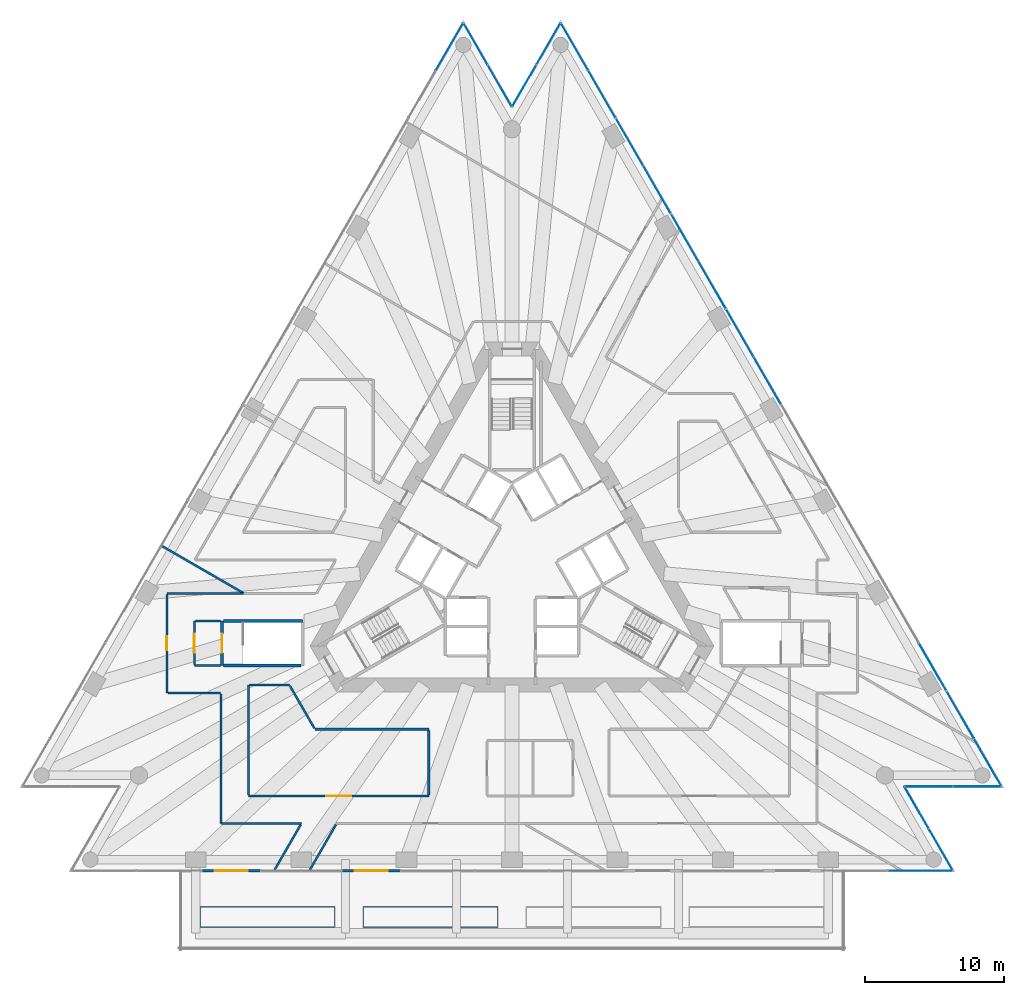
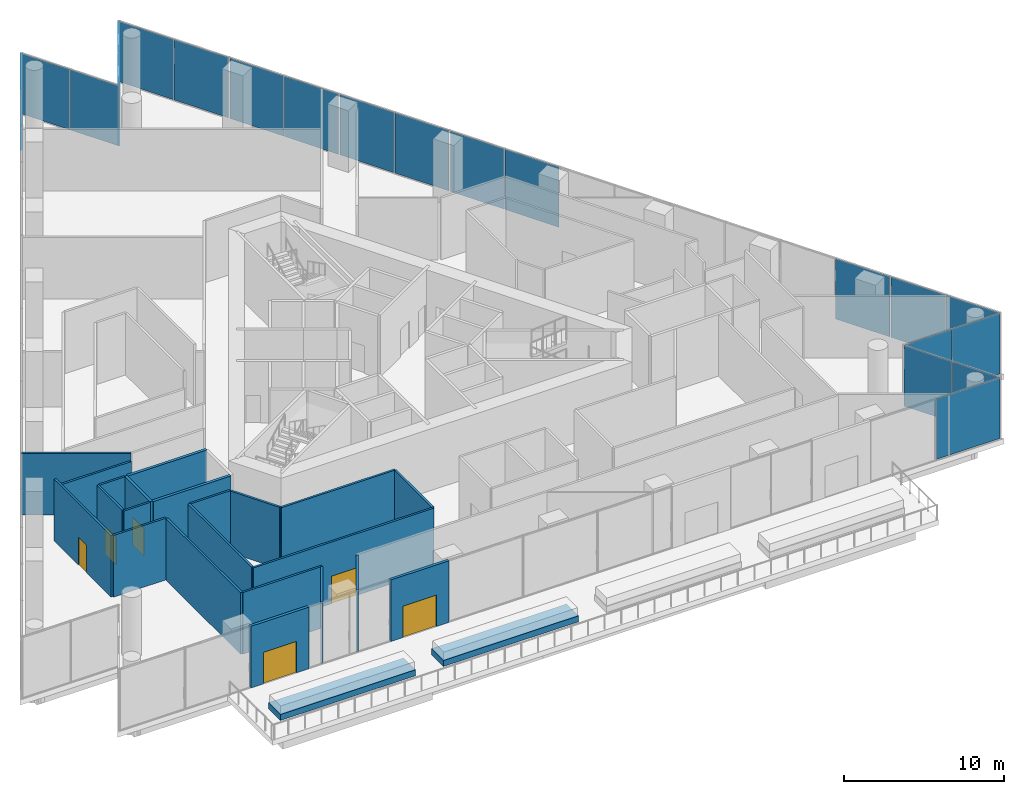
# One storey, part 21 of 28: 24 walls, 21 plates, 6 doors, 6 openings, 12 elements without a shape of their own.
"""IFC4 building model written with IfcOpenShell, lengths in metres."""

from ifc_helpers import new_model, si_unit, direction, frame, frame_2d, origin, origin_2d, place, context, subcontext, project, spatial, rectangle, extrude, material, layer, layer_set, layer_usage, type_object, element, fill, aggregate, save


model = new_model("IFC4")

# Units and contexts
model_context = context("Model", 3, precision=1e-05, world=origin(), true_north=direction((0.0, 1.0)))
body_context = subcontext(model_context, "Body", "Model", "MODEL_VIEW")
ifc_project = project(units=[si_unit("LENGTHUNIT", "METRE"), si_unit("AREAUNIT", "SQUARE_METRE"), si_unit("VOLUMEUNIT", "CUBIC_METRE"), si_unit("PLANEANGLEUNIT", "RADIAN"), si_unit("MASSUNIT", "GRAM", prefix="KILO")], contexts=[model_context])

# Site, building, storey
site_placement = place(None, origin())
site = spatial("IfcSite", under=ifc_project, at=site_placement, CompositionType="ELEMENT")
building_placement = place(site_placement, origin())
building = spatial("IfcBuilding", under=site, at=building_placement, Name="Triada Interchange Tower", CompositionType="ELEMENT")
storey_placement = place(building_placement, frame((0.0, 0.0, 30.300048828125)))
storey = spatial("IfcBuildingStorey", under=building, at=storey_placement, Name="L05", CompositionType="ELEMENT", Elevation=30.300048828125)

# Curtain wall, plate
ifc_material_1 = material(Name="Aluminium framed glazing", Category="aluminium")
ifc_layer_1 = layer(ifc_material_1, 0.199951171875)
ifc_layer_set_1 = layer_set([ifc_layer_1], Name="Curtain wall Winter garden glazing")
curtain_wall_type = type_object("IfcCurtainWallType", Name="Curtain wall Winter garden glazing", PredefinedType="NOTDEFINED", material=ifc_layer_set_1)
curtain_wall_1_placement = place(storey_placement, origin())
curtain_wall_1 = element("IfcCurtainWall", 1, at=curtain_wall_1_placement, inside=storey, type_object=curtain_wall_type, Name="Winter garden glazing CW009 L05", PredefinedType="NOTDEFINED")
ifc_material_2 = material(Name="Insulated glazing unit", Category="glass")
ifc_layer_2 = layer(ifc_material_2, 0.02392578125)
ifc_layer_set_2 = layer_set([ifc_layer_2], Name="Glazing panel Winter garden glazing 24")
plate_type = type_object("IfcPlateType", Name="Glazing panel Winter garden glazing 24", PredefinedType="CURTAIN_PANEL", material=ifc_layer_set_2)
plate_1_placement = place(storey_placement, frame((29.424072265625, -22.39990234375, 0.0498046875), z_axis=(0.0, 0.0, 1.0), x_axis=(1.0, 0.0, 0.0)))
plate_1 = element("IfcPlate", 2, at=plate_1_placement, type_object=plate_type, Name="CW009 panel 1.1", PredefinedType="CURTAIN_PANEL", context=body_context, shape_type="SweptSolid", body=[
    extrude(rectangle(XDim=4.617919921875, YDim=0.02392578125, at=origin_2d()), origin(), (0.0, 0.0, 1.0), 4.60009765625),
])
aggregate(curtain_wall_1, [plate_1])

# Curtain wall, plates
curtain_wall_2_placement = place(storey_placement, origin())
curtain_wall_2 = element("IfcCurtainWall", 3, at=curtain_wall_2_placement, inside=storey, type_object=curtain_wall_type, Name="Winter garden glazing CW010 L05", PredefinedType="NOTDEFINED")
plate_2_placement = place(storey_placement, frame((30.89990234375, -20.870361328125, 0.0498046875), z_axis=(0.0, 0.0, 1.0), x_axis=(-0.499956922962, 0.866050272896, 0.0)))
plate_2 = element("IfcPlate", 4, at=plate_2_placement, type_object=plate_type, Name="CW010 panel 1.1", PredefinedType="CURTAIN_PANEL", context=body_context, shape_type="SweptSolid", body=[
    extrude(rectangle(XDim=3.432373046875, YDim=0.02392578125, at=origin_2d()), origin(), (0.0, 0.0, 1.0), 4.60009765625),
])
plate_3_placement = place(storey_placement, frame((29.158935546875, -17.8544921875, 0.0498046875), z_axis=(0.0, 0.0, 1.0), x_axis=(-0.499956922962, 0.866050272896, 0.0)))
plate_3 = element("IfcPlate", 5, at=plate_3_placement, type_object=plate_type, Name="CW010 panel 2.1", PredefinedType="CURTAIN_PANEL", context=body_context, shape_type="SweptSolid", body=[
    extrude(rectangle(XDim=3.432373046875, YDim=0.02392578125, at=origin_2d()), origin(), (0.0, 0.0, 1.0), 4.60009765625),
])
aggregate(curtain_wall_2, [plate_2, plate_3])

curtain_wall_3_placement = place(storey_placement, origin())
curtain_wall_3 = element("IfcCurtainWall", 6, at=curtain_wall_3_placement, inside=storey, type_object=curtain_wall_type, Name="Winter garden glazing CW011 L05", PredefinedType="NOTDEFINED")
plate_4_placement = place(storey_placement, frame((30.042236328125, -16.324951171875, 0.0498046875), z_axis=(0.0, 0.0, 1.0), x_axis=(1.0, 0.0, 0.0)))
plate_4 = element("IfcPlate", 7, at=plate_4_placement, type_object=plate_type, Name="CW011 panel 1.1", PredefinedType="CURTAIN_PANEL", context=body_context, shape_type="SweptSolid", body=[
    extrude(rectangle(XDim=3.4326171875, YDim=0.02392578125, at=origin_2d()), origin(), (0.0, 0.0, 1.0), 4.60009765625),
])
plate_5_placement = place(storey_placement, frame((33.524658203125, -16.324951171875, 0.0498046875), z_axis=(0.0, 0.0, 1.0), x_axis=(1.0, 0.0, 0.0)))
plate_5 = element("IfcPlate", 8, at=plate_5_placement, type_object=plate_type, Name="CW011 panel 2.1", PredefinedType="CURTAIN_PANEL", context=body_context, shape_type="SweptSolid", body=[
    extrude(rectangle(XDim=3.4326171875, YDim=0.02392578125, at=origin_2d()), origin(), (0.0, 0.0, 1.0), 4.60009765625),
])
aggregate(curtain_wall_3, [plate_4, plate_5])

curtain_wall_4_placement = place(storey_placement, origin())
curtain_wall_4 = element("IfcCurtainWall", 9, at=curtain_wall_4_placement, inside=storey, type_object=curtain_wall_type, Name="Winter garden glazing CW012 L05", PredefinedType="NOTDEFINED")
plate_6_placement = place(storey_placement, frame((34.292236328125, -14.594970703125, 0.0498046875), z_axis=(0.0, 0.0, 1.0), x_axis=(-0.499958648825, 0.86604927658, 0.0)))
plate_6 = element("IfcPlate", 10, at=plate_6_placement, type_object=plate_type, Name="CW012 panel 1.1", PredefinedType="CURTAIN_PANEL", context=body_context, shape_type="SweptSolid", body=[
    extrude(rectangle(XDim=3.895263671875, YDim=0.02392578125, at=origin_2d()), origin(), (0.0, 0.0, 1.0), 4.60009765625),
])
plate_7_placement = place(storey_placement, frame((32.31982421875, -11.177978515625, 0.0498046875), z_axis=(0.0, 0.0, 1.0), x_axis=(-0.499958648825, 0.86604927658, 0.0)))
plate_7 = element("IfcPlate", 11, at=plate_7_placement, type_object=plate_type, Name="CW012 panel 2.1", PredefinedType="CURTAIN_PANEL", context=body_context, shape_type="SweptSolid", body=[
    extrude(rectangle(XDim=3.895263671875, YDim=0.02392578125, at=origin_2d()), origin(), (0.0, 0.0, 1.0), 4.60009765625),
])
aggregate(curtain_wall_4, [plate_6, plate_7])

# Curtain wall, plate
curtain_wall_5_placement = place(storey_placement, origin())
curtain_wall_5 = element("IfcCurtainWall", 12, at=curtain_wall_5_placement, inside=storey, type_object=curtain_wall_type, Name="Winter garden glazing CW013 L05", PredefinedType="NOTDEFINED")
plate_8_placement = place(storey_placement, frame((30.31689453125, -7.710205078125, 0.0498046875), z_axis=(0.0, 0.0, 1.0), x_axis=(-0.499947913852, 0.866055473648, 0.0)))
plate_8 = element("IfcPlate", 13, at=plate_8_placement, type_object=plate_type, Name="CW013 panel 1.1", PredefinedType="CURTAIN_PANEL", context=body_context, shape_type="SweptSolid", body=[
    extrude(rectangle(XDim=3.892333984375, YDim=0.02392578125, at=origin_2d()), origin(), (0.0, 0.0, 1.0), 4.60009765625),
])
aggregate(curtain_wall_5, [plate_8])

# Curtain wall, plates
curtain_wall_6_placement = place(storey_placement, origin())
curtain_wall_6 = element("IfcCurtainWall", 14, at=curtain_wall_6_placement, inside=storey, type_object=curtain_wall_type, Name="Winter garden glazing CW016 L05", PredefinedType="NOTDEFINED")
plate_9_placement = place(storey_placement, frame((18.39794921875, 12.93310546875, 0.0498046875), z_axis=(0.0, 0.0, 1.0), x_axis=(-0.499893351442, 0.866086968603, 0.0)))
plate_9 = element("IfcPlate", 15, at=plate_9_placement, type_object=plate_type, Name="CW016 panel 1.1", PredefinedType="CURTAIN_PANEL", context=body_context, shape_type="SweptSolid", body=[
    extrude(rectangle(XDim=3.892822265625, YDim=0.02392578125, at=origin_2d()), origin(), (0.0, 0.0, 1.0), 4.60009765625),
])
plate_10_placement = place(storey_placement, frame((16.427001953125, 16.347900390625, 0.0498046875), z_axis=(0.0, 0.0, 1.0), x_axis=(-0.499893351442, 0.866086968603, 0.0)))
plate_10 = element("IfcPlate", 16, at=plate_10_placement, type_object=plate_type, Name="CW016 panel 2.1", PredefinedType="CURTAIN_PANEL", context=body_context, shape_type="SweptSolid", body=[
    extrude(rectangle(XDim=3.892822265625, YDim=0.02392578125, at=origin_2d()), origin(), (0.0, 0.0, 1.0), 4.60009765625),
])
aggregate(curtain_wall_6, [plate_9, plate_10])

curtain_wall_7_placement = place(storey_placement, origin())
curtain_wall_7 = element("IfcCurtainWall", 17, at=curtain_wall_7_placement, inside=storey, type_object=curtain_wall_type, Name="Winter garden glazing CW017 L05", PredefinedType="NOTDEFINED")
plate_11_placement = place(storey_placement, frame((14.425048828125, 19.81494140625, 0.0498046875), z_axis=(0.0, 0.0, 1.0), x_axis=(-0.499947913852, 0.866055473648, 0.0)))
plate_11 = element("IfcPlate", 18, at=plate_11_placement, type_object=plate_type, Name="CW017 panel 1.1", PredefinedType="CURTAIN_PANEL", context=body_context, shape_type="SweptSolid", body=[
    extrude(rectangle(XDim=3.892333984375, YDim=0.02392578125, at=origin_2d()), origin(), (0.0, 0.0, 1.0), 4.60009765625),
])
plate_12_placement = place(storey_placement, frame((12.4541015625, 23.229248046875, 0.0498046875), z_axis=(0.0, 0.0, 1.0), x_axis=(-0.499947913852, 0.866055473648, 0.0)))
plate_12 = element("IfcPlate", 19, at=plate_12_placement, type_object=plate_type, Name="CW017 panel 2.1", PredefinedType="CURTAIN_PANEL", context=body_context, shape_type="SweptSolid", body=[
    extrude(rectangle(XDim=3.892333984375, YDim=0.02392578125, at=origin_2d()), origin(), (0.0, 0.0, 1.0), 4.60009765625),
])
aggregate(curtain_wall_7, [plate_11, plate_12])

curtain_wall_8_placement = place(storey_placement, origin())
curtain_wall_8 = element("IfcCurtainWall", 20, at=curtain_wall_8_placement, inside=storey, type_object=curtain_wall_type, Name="Winter garden glazing CW018 L05", PredefinedType="NOTDEFINED")
plate_13_placement = place(storey_placement, frame((10.451904296875, 26.69580078125, 0.0498046875), z_axis=(0.0, 0.0, 1.0), x_axis=(-0.499947913852, 0.866055473648, 0.0)))
plate_13 = element("IfcPlate", 21, at=plate_13_placement, type_object=plate_type, Name="CW018 panel 1.1", PredefinedType="CURTAIN_PANEL", context=body_context, shape_type="SweptSolid", body=[
    extrude(rectangle(XDim=3.892333984375, YDim=0.02392578125, at=origin_2d()), origin(), (0.0, 0.0, 1.0), 4.60009765625),
])
plate_14_placement = place(storey_placement, frame((8.48095703125, 30.110107421875, 0.0498046875), z_axis=(0.0, 0.0, 1.0), x_axis=(-0.499947913852, 0.866055473648, 0.0)))
plate_14 = element("IfcPlate", 22, at=plate_14_placement, type_object=plate_type, Name="CW018 panel 2.1", PredefinedType="CURTAIN_PANEL", context=body_context, shape_type="SweptSolid", body=[
    extrude(rectangle(XDim=3.892333984375, YDim=0.02392578125, at=origin_2d()), origin(), (0.0, 0.0, 1.0), 4.60009765625),
])
aggregate(curtain_wall_8, [plate_13, plate_14])

curtain_wall_9_placement = place(storey_placement, origin())
curtain_wall_9 = element("IfcCurtainWall", 23, at=curtain_wall_9_placement, inside=storey, type_object=curtain_wall_type, Name="Winter garden glazing CW019 L05", PredefinedType="NOTDEFINED")
plate_15_placement = place(storey_placement, frame((6.478271484375, 33.578125, 0.0498046875), z_axis=(0.0, 0.0, 1.0), x_axis=(-0.499958648825, 0.86604927658, 0.0)))
plate_15 = element("IfcPlate", 24, at=plate_15_placement, type_object=plate_type, Name="CW019 panel 1.1", PredefinedType="CURTAIN_PANEL", context=body_context, shape_type="SweptSolid", body=[
    extrude(rectangle(XDim=3.895263671875, YDim=0.02392578125, at=origin_2d()), origin(), (0.0, 0.0, 1.0), 4.60009765625),
])
plate_16_placement = place(storey_placement, frame((4.505859375, 36.994873046875, 0.0498046875), z_axis=(0.0, 0.0, 1.0), x_axis=(-0.499958648825, 0.86604927658, 0.0)))
plate_16 = element("IfcPlate", 25, at=plate_16_placement, type_object=plate_type, Name="CW019 panel 2.1", PredefinedType="CURTAIN_PANEL", context=body_context, shape_type="SweptSolid", body=[
    extrude(rectangle(XDim=3.895263671875, YDim=0.02392578125, at=origin_2d()), origin(), (0.0, 0.0, 1.0), 4.60009765625),
])
aggregate(curtain_wall_9, [plate_15, plate_16])

curtain_wall_10_placement = place(storey_placement, origin())
curtain_wall_10 = element("IfcCurtainWall", 26, at=curtain_wall_10_placement, inside=storey, type_object=curtain_wall_type, Name="Winter garden glazing CW020 L05", PredefinedType="NOTDEFINED")
plate_17_placement = place(storey_placement, frame((2.6240234375, 37.1953125, 0.0498046875), z_axis=(0.0, 0.0, 1.0), x_axis=(-0.499956922962, -0.866050272896, 0.0)))
plate_17 = element("IfcPlate", 27, at=plate_17_placement, type_object=plate_type, Name="CW020 panel 1.1", PredefinedType="CURTAIN_PANEL", context=body_context, shape_type="SweptSolid", body=[
    extrude(rectangle(XDim=3.432373046875, YDim=0.02392578125, at=origin_2d()), origin(), (0.0, 0.0, 1.0), 4.60009765625),
])
plate_18_placement = place(storey_placement, frame((0.883056640625, 34.1796875, 0.0498046875), z_axis=(0.0, 0.0, 1.0), x_axis=(-0.499956922962, -0.866050272896, 0.0)))
plate_18 = element("IfcPlate", 28, at=plate_18_placement, type_object=plate_type, Name="CW020 panel 2.1", PredefinedType="CURTAIN_PANEL", context=body_context, shape_type="SweptSolid", body=[
    extrude(rectangle(XDim=3.432373046875, YDim=0.02392578125, at=origin_2d()), origin(), (0.0, 0.0, 1.0), 4.60009765625),
])
aggregate(curtain_wall_10, [plate_17, plate_18])

curtain_wall_11_placement = place(storey_placement, origin())
curtain_wall_11 = element("IfcCurtainWall", 29, at=curtain_wall_11_placement, inside=storey, type_object=curtain_wall_type, Name="Winter garden glazing CW021 L05", PredefinedType="NOTDEFINED")
plate_19_placement = place(storey_placement, frame((-0.883056640625, 34.1796875, 0.0498046875), z_axis=(0.0, 0.0, 1.0), x_axis=(-0.499956922962, 0.866050272896, 0.0)))
plate_19 = element("IfcPlate", 30, at=plate_19_placement, type_object=plate_type, Name="CW021 panel 1.1", PredefinedType="CURTAIN_PANEL", context=body_context, shape_type="SweptSolid", body=[
    extrude(rectangle(XDim=3.432373046875, YDim=0.02392578125, at=origin_2d()), origin(), (0.0, 0.0, 1.0), 4.60009765625),
])
plate_20_placement = place(storey_placement, frame((-2.6240234375, 37.1953125, 0.0498046875), z_axis=(0.0, 0.0, 1.0), x_axis=(-0.499956922962, 0.866050272896, 0.0)))
plate_20 = element("IfcPlate", 31, at=plate_20_placement, type_object=plate_type, Name="CW021 panel 2.1", PredefinedType="CURTAIN_PANEL", context=body_context, shape_type="SweptSolid", body=[
    extrude(rectangle(XDim=3.432373046875, YDim=0.02392578125, at=origin_2d()), origin(), (0.0, 0.0, 1.0), 4.60009765625),
])
aggregate(curtain_wall_11, [plate_19, plate_20])

# Curtain wall, plate
curtain_wall_12_placement = place(storey_placement, origin())
curtain_wall_12 = element("IfcCurtainWall", 32, at=curtain_wall_12_placement, inside=storey, type_object=curtain_wall_type, Name="Winter garden glazing CW022 L05", PredefinedType="NOTDEFINED")
plate_21_placement = place(storey_placement, frame((-4.505859375, 36.994873046875, 0.0498046875), z_axis=(0.0, 0.0, 1.0), x_axis=(-0.499958648825, -0.86604927658, 0.0)))
plate_21 = element("IfcPlate", 33, at=plate_21_placement, type_object=plate_type, Name="CW022 panel 1.1", PredefinedType="CURTAIN_PANEL", context=body_context, shape_type="SweptSolid", body=[
    extrude(rectangle(XDim=3.895263671875, YDim=0.02392578125, at=origin_2d()), origin(), (0.0, 0.0, 1.0), 4.60009765625),
])
aggregate(curtain_wall_12, [plate_21])

# Wall, opening, door
ifc_material_3 = material(Name="Concrete C30/37", Category="concrete")
ifc_layer_3 = layer(ifc_material_3, 0.199951171875)
ifc_layer_set_3 = layer_set([ifc_layer_3], Name="CORE WALL 200 REI 240")
wall_type_1 = type_object("IfcWallType", Name="CORE WALL 200 REI 240", PredefinedType="SOLIDWALL", material=ifc_layer_set_3)
wall_1_placement = place(storey_placement, frame((-20.89990234375, -7.60009765625, 0.0), z_axis=(0.0, 0.0, 1.0), x_axis=(0.0, 1.0, 0.0)))
wall_1 = element("IfcWall", 34, at=wall_1_placement, inside=storey, type_object=wall_type_1, Name="Wall L05 121", PredefinedType="SOLIDWALL", context=body_context, shape_type="SweptSolid", body=[
    extrude(rectangle(XDim=3.2001953125, YDim=0.199951171875, at=frame_2d((1.60009765625, 0.0))), origin(), (0.0, 0.0, 1.0), 4.699951171875),
])
opening_1_placement = place(wall_1_placement, frame((0.89990234375, 0.0, 0.0)))
opening_1 = element("IfcOpeningElement", 35, at=opening_1_placement, cuts=wall_1, Name="Opening D05-11", PredefinedType="OPENING", context=body_context, shape_type="SweptSolid", body=[
    extrude(rectangle(XDim=1.39990234375, YDim=2.10009765625, at=frame_2d((0.699951171875, 1.050048828125))), frame((0.0, 0.10986328125, 0.0), z_axis=(0.0, -1.0, 0.0), x_axis=(1.0, 0.0, 0.0)), (0.0, 0.0, 1.0), 0.219970703125),
])
ifc_material_4 = material(Name="Steel S235 door leaf", Category="steel")
door_type_1 = type_object("IfcDoorType", Name="STAIR DOOR 1400 EI2 90-C5S200", OperationType="DOUBLE_DOOR_SINGLE_SWING", PredefinedType="DOOR", material=ifc_material_4)
door_1_placement = place(opening_1_placement, origin())
door_1 = element("IfcDoor", 36, at=door_1_placement, inside=storey, type_object=door_type_1, Name="Door D05-11 L05", OperationType="DOUBLE_DOOR_SINGLE_SWING", OverallHeight=2.10009765625, OverallWidth=1.39990234375, PredefinedType="DOOR", context=body_context, shape_type="SweptSolid", body=[
    extrude(rectangle(XDim=1.39990234375, YDim=2.10009765625, at=frame_2d((0.699951171875, 1.050048828125))), frame((0.0, 0.02490234375, 0.0), z_axis=(0.0, -1.0, 0.0), x_axis=(1.0, 0.0, 0.0)), (0.0, 0.0, 1.0), 0.050048828125),
])
fill(opening_1, door_1)

# Walls
wall_2_placement = place(storey_placement, frame((-20.800048828125, -4.39990234375, 0.0), z_axis=(0.0, 0.0, 1.0), x_axis=(1.0, 0.0, 0.0)))
element("IfcWall", 37, at=wall_2_placement, inside=storey, type_object=wall_type_1, Name="Wall L05 122", PredefinedType="SOLIDWALL", context=body_context, shape_type="SweptSolid", body=[
    extrude(rectangle(XDim=5.699951171875, YDim=0.199951171875, at=frame_2d((2.85009765625, 0.0))), origin(), (0.0, 0.0, 1.0), 4.699951171875),
])
wall_3_placement = place(storey_placement, frame((-20.800048828125, -7.60009765625, 0.0), z_axis=(0.0, 0.0, 1.0), x_axis=(1.0, 0.0, 0.0)))
element("IfcWall", 38, at=wall_3_placement, inside=storey, type_object=wall_type_1, Name="Wall L05 125", PredefinedType="SOLIDWALL", context=body_context, shape_type="SweptSolid", body=[
    extrude(rectangle(XDim=5.60009765625, YDim=0.199951171875, at=frame_2d((2.800048828125, 0.0))), origin(), (0.0, 0.0, 1.0), 4.699951171875),
])

# Wall, opening, door
ifc_material_5 = material(Name="Cement board")
ifc_layer_4 = layer(ifc_material_5, 0.02001953125, Name="Cement board cladding")
ifc_material_6 = material(Name="Sheathing board")
ifc_layer_5 = layer(ifc_material_6, 0.014892578125, Name="Sheathing board")
ifc_material_7 = material(Name="Mineral wool")
ifc_layer_6 = layer(ifc_material_7, 0.14990234375, Name="Mineral wool between steel studs")
ifc_material_8 = material(Name="Gypsum board")
ifc_layer_7 = layer(ifc_material_8, 0.014892578125, Name="Plasterboard lining")
ifc_layer_set_4 = layer_set([ifc_layer_4, ifc_layer_5, ifc_layer_6, ifc_layer_7], Name="External wall 200")
ifc_layer_usage = layer_usage(ifc_layer_set_4, "AXIS2", "POSITIVE", -0.10009765625)
wall_type_2 = type_object("IfcWallType", Name="External wall 200", PredefinedType="ELEMENTEDWALL", material=ifc_layer_set_4)
wall_4_placement = place(storey_placement, frame((-22.3369140625, -22.39990234375, 0.0), z_axis=(0.0, 0.0, 1.0), x_axis=(1.0, 0.0, 0.0)))
wall_4 = element("IfcWall", 39, at=wall_4_placement, inside=storey, type_object=wall_type_2, material=ifc_layer_usage, Name="External wall L05 00.1", PredefinedType="ELEMENTEDWALL", context=body_context, shape_type="SweptSolid", body=[
    extrude(rectangle(XDim=4.199951171875, YDim=0.199951171875, at=frame_2d((2.10009765625, 0.0))), origin(), (0.0, 0.0, 1.0), 4.699951171875),
])
opening_2_placement = place(wall_4_placement, frame((0.89990234375, 0.0, 0.0)))
opening_2 = element("IfcOpeningElement", 40, at=opening_2_placement, cuts=wall_4, Name="Opening DX55", PredefinedType="OPENING", context=body_context, shape_type="SweptSolid", body=[
    extrude(rectangle(XDim=2.39990234375, YDim=2.39990234375, at=frame_2d((1.199951171875, 1.199951171875))), frame((0.0, 0.10986328125, 0.0), z_axis=(0.0, -1.0, 0.0), x_axis=(1.0, 0.0, 0.0)), (0.0, 0.0, 1.0), 0.219970703125),
])
ifc_material_9 = material(Name="Aluminium and glass", Category="aluminium")
door_type_2 = type_object("IfcDoorType", Name="Terrace door double", OperationType="DOUBLE_DOOR_SINGLE_SWING", PredefinedType="DOOR", material=ifc_material_9)
door_2_placement = place(opening_2_placement, frame((2.39990234375, 0.0, 0.0), z_axis=(0.0, 0.0, 1.0), x_axis=(-1.0, 0.0, 0.0)))
door_2 = element("IfcDoor", 41, at=door_2_placement, inside=storey, type_object=door_type_2, Name="Door DX55 L05", OperationType="DOUBLE_DOOR_SINGLE_SWING", OverallHeight=2.39990234375, OverallWidth=2.39990234375, PredefinedType="DOOR", context=body_context, shape_type="SweptSolid", body=[
    extrude(rectangle(XDim=2.39990234375, YDim=2.39990234375, at=frame_2d((1.199951171875, 1.199951171875))), frame((0.0, 0.02490234375, 0.0), z_axis=(0.0, -1.0, 0.0), x_axis=(1.0, 0.0, 0.0)), (0.0, 0.0, 1.0), 0.050048828125),
])
fill(opening_2, door_2)

wall_5_placement = place(storey_placement, frame((-12.24609375, -22.39990234375, 0.0), z_axis=(0.0, 0.0, 1.0), x_axis=(1.0, 0.0, 0.0)))
wall_5 = element("IfcWall", 42, at=wall_5_placement, inside=storey, type_object=wall_type_2, material=ifc_layer_usage, Name="External wall L05 00.3", PredefinedType="ELEMENTEDWALL", context=body_context, shape_type="SweptSolid", body=[
    extrude(rectangle(XDim=4.2001953125, YDim=0.199951171875, at=frame_2d((2.10009765625, 0.0))), origin(), (0.0, 0.0, 1.0), 4.699951171875),
])
opening_3_placement = place(wall_5_placement, frame((0.89990234375, 0.0, 0.0)))
opening_3 = element("IfcOpeningElement", 43, at=opening_3_placement, cuts=wall_5, Name="Opening DX56", PredefinedType="OPENING", context=body_context, shape_type="SweptSolid", body=[
    extrude(rectangle(XDim=2.39990234375, YDim=2.39990234375, at=frame_2d((1.199951171875, 1.199951171875))), frame((0.0, 0.10986328125, 0.0), z_axis=(0.0, -1.0, 0.0), x_axis=(1.0, 0.0, 0.0)), (0.0, 0.0, 1.0), 0.219970703125),
])
door_3_placement = place(opening_3_placement, frame((2.39990234375, 0.0, 0.0), z_axis=(0.0, 0.0, 1.0), x_axis=(-1.0, 0.0, 0.0)))
door_3 = element("IfcDoor", 44, at=door_3_placement, inside=storey, type_object=door_type_2, Name="Door DX56 L05", OperationType="DOUBLE_DOOR_SINGLE_SWING", OverallHeight=2.39990234375, OverallWidth=2.39990234375, PredefinedType="DOOR", context=body_context, shape_type="SweptSolid", body=[
    extrude(rectangle(XDim=2.39990234375, YDim=2.39990234375, at=frame_2d((1.199951171875, 1.199951171875))), frame((0.0, 0.02490234375, 0.0), z_axis=(0.0, -1.0, 0.0), x_axis=(1.0, 0.0, 0.0)), (0.0, 0.0, 1.0), 0.050048828125),
])
fill(opening_3, door_3)

# Wall
ifc_material_10 = material(Name="Gypsum board partition")
ifc_layer_8 = layer(ifc_material_10, 0.14990234375)
ifc_layer_set_5 = layer_set([ifc_layer_8], Name="PARTITION 150 EI 180")
wall_type_3 = type_object("IfcWallType", Name="PARTITION 150 EI 180", PredefinedType="PARTITIONING", material=ifc_layer_set_5)
wall_6_placement = place(storey_placement, frame((-22.89990234375, -7.60009765625, 0.0), z_axis=(0.0, 0.0, 1.0), x_axis=(1.0, 0.0, 0.0)))
element("IfcWall", 45, at=wall_6_placement, inside=storey, type_object=wall_type_3, Name="Wall L05 1", PredefinedType="PARTITIONING", context=body_context, shape_type="SweptSolid", body=[
    extrude(rectangle(XDim=1.89990234375, YDim=0.14990234375, at=frame_2d((0.949951171875, 0.0))), origin(), (0.0, 0.0, 1.0), 4.699951171875),
])

# Wall, opening, door
wall_7_placement = place(storey_placement, frame((-22.89990234375, -7.52490234375, 0.0), z_axis=(0.0, 0.0, 1.0), x_axis=(0.0, 1.0, 0.0)))
wall_7 = element("IfcWall", 46, at=wall_7_placement, inside=storey, type_object=wall_type_3, Name="Wall L05 3", PredefinedType="PARTITIONING", context=body_context, shape_type="SweptSolid", body=[
    extrude(rectangle(XDim=3.125, YDim=0.14990234375, at=frame_2d((1.5625, 0.0))), origin(), (0.0, 0.0, 1.0), 4.699951171875),
])
opening_4_placement = place(wall_7_placement, frame((0.824951171875, 0.0, 0.0)))
opening_4 = element("IfcOpeningElement", 47, at=opening_4_placement, cuts=wall_7, Name="Opening D05-12", PredefinedType="OPENING", context=body_context, shape_type="SweptSolid", body=[
    extrude(rectangle(XDim=1.39990234375, YDim=2.10009765625, at=frame_2d((0.699951171875, 1.050048828125))), frame((0.0, 0.0849609375, 0.0), z_axis=(0.0, -1.0, 0.0), x_axis=(1.0, 0.0, 0.0)), (0.0, 0.0, 1.0), 0.169921875),
])
door_4_placement = place(opening_4_placement, origin())
door_4 = element("IfcDoor", 48, at=door_4_placement, inside=storey, type_object=door_type_1, Name="Door D05-12 L05", OperationType="DOUBLE_DOOR_SINGLE_SWING", OverallHeight=2.10009765625, OverallWidth=1.39990234375, PredefinedType="DOOR", context=body_context, shape_type="SweptSolid", body=[
    extrude(rectangle(XDim=1.39990234375, YDim=2.10009765625, at=frame_2d((0.699951171875, 1.050048828125))), frame((0.0, 0.02490234375, 0.0), z_axis=(0.0, -1.0, 0.0), x_axis=(1.0, 0.0, 0.0)), (0.0, 0.0, 1.0), 0.050048828125),
])
fill(opening_4, door_4)

# Walls
wall_8_placement = place(storey_placement, frame((-22.824951171875, -4.39990234375, 0.0), z_axis=(0.0, 0.0, 1.0), x_axis=(1.0, 0.0, 0.0)))
element("IfcWall", 49, at=wall_8_placement, inside=storey, type_object=wall_type_3, Name="Wall L05 4", PredefinedType="PARTITIONING", context=body_context, shape_type="SweptSolid", body=[
    extrude(rectangle(XDim=1.824951171875, YDim=0.14990234375, at=frame_2d((0.91259765625, 0.0))), origin(), (0.0, 0.0, 1.0), 4.699951171875),
])
ifc_layer_9 = layer(ifc_material_10, 0.14990234375)
ifc_layer_set_6 = layer_set([ifc_layer_9], Name="PARTITION 150 EI 90")
wall_type_4 = type_object("IfcWallType", Name="PARTITION 150 EI 90", PredefinedType="PARTITIONING", material=ifc_layer_set_6)
wall_9_placement = place(storey_placement, frame((-25.27099609375, 1.030029296875, 0.0), z_axis=(0.0, 0.0, 1.0), x_axis=(0.865997947348, -0.500047552927, 0.0)))
element("IfcWall", 50, at=wall_9_placement, inside=storey, type_object=wall_type_4, Name="Wall L05 7", PredefinedType="PARTITIONING", context=body_context, shape_type="SweptSolid", body=[
    extrude(rectangle(XDim=6.825439453125, YDim=0.14990234375, at=frame_2d((3.41259765625, 0.0))), origin(), (0.0, 0.0, 1.0), 4.699951171875),
])
wall_10_placement = place(storey_placement, frame((-24.8798828125, -2.419921875, 0.0), z_axis=(0.0, 0.0, 1.0), x_axis=(1.0, 0.0, 0.0)))
element("IfcWall", 51, at=wall_10_placement, inside=storey, type_object=wall_type_4, Name="Wall L05 17", PredefinedType="PARTITIONING", context=body_context, shape_type="SweptSolid", body=[
    extrude(rectangle(XDim=5.509765625, YDim=0.14990234375, at=frame_2d((2.7548828125, 0.0))), origin(), (0.0, 0.0, 1.0), 4.099853515625),
])

# Wall, opening, door
wall_11_placement = place(storey_placement, frame((-24.8798828125, -9.580078125, 0.0), z_axis=(0.0, 0.0, 1.0), x_axis=(0.0, 1.0, 0.0)))
wall_11 = element("IfcWall", 52, at=wall_11_placement, inside=storey, type_object=wall_type_4, Name="Wall L05 18", PredefinedType="PARTITIONING", context=body_context, shape_type="SweptSolid", body=[
    extrude(rectangle(XDim=7.0849609375, YDim=0.14990234375, at=frame_2d((3.54248046875, 0.0))), origin(), (0.0, 0.0, 1.0), 4.699951171875),
])
opening_5_placement = place(wall_11_placement, frame((3.080078125, 0.0, 0.0)))
opening_5 = element("IfcOpeningElement", 53, at=opening_5_placement, cuts=wall_11, Name="Opening D05-22", PredefinedType="OPENING", context=body_context, shape_type="SweptSolid", body=[
    extrude(rectangle(XDim=1.0, YDim=2.10009765625, at=frame_2d((0.5, 1.050048828125))), frame((0.0, 0.0849609375, 0.0), z_axis=(0.0, -1.0, 0.0), x_axis=(1.0, 0.0, 0.0)), (0.0, 0.0, 1.0), 0.169921875),
])
door_type_3 = type_object("IfcDoorType", Name="ROOM DOOR 1000 EI2 90-C5S200", OperationType="NOTDEFINED", PredefinedType="DOOR", material=ifc_material_4)
door_5_placement = place(opening_5_placement, origin())
door_5 = element("IfcDoor", 54, at=door_5_placement, inside=storey, type_object=door_type_3, Name="Door D05-22 L05", OperationType="SINGLE_SWING_LEFT", OverallHeight=2.10009765625, OverallWidth=1.0, PredefinedType="DOOR", context=body_context, shape_type="SweptSolid", body=[
    extrude(rectangle(XDim=1.0, YDim=2.10009765625, at=frame_2d((0.5, 1.050048828125))), frame((0.0, 0.02490234375, 0.0), z_axis=(0.0, -1.0, 0.0), x_axis=(1.0, 0.0, 0.0)), (0.0, 0.0, 1.0), 0.050048828125),
])
fill(opening_5, door_5)

# Walls
wall_12_placement = place(storey_placement, frame((-24.804931640625, -9.580078125, 0.0), z_axis=(0.0, 0.0, 1.0), x_axis=(1.0, 0.0, 0.0)))
element("IfcWall", 55, at=wall_12_placement, inside=storey, type_object=wall_type_4, Name="Wall L05 19", PredefinedType="PARTITIONING", context=body_context, shape_type="SweptSolid", body=[
    extrude(rectangle(XDim=3.804931640625, YDim=0.14990234375, at=frame_2d((1.90234375, 0.0))), origin(), (0.0, 0.0, 1.0), 4.699951171875),
])
wall_13_placement = place(storey_placement, frame((-20.97998046875, -19.0, 0.0), z_axis=(0.0, 0.0, 1.0), x_axis=(0.0, 1.0, 0.0)))
element("IfcWall", 56, at=wall_13_placement, inside=storey, type_object=wall_type_4, Name="Wall L05 20", PredefinedType="PARTITIONING", context=body_context, shape_type="SweptSolid", body=[
    extrude(rectangle(XDim=9.324951171875, YDim=0.14990234375, at=frame_2d((4.66259765625, 0.0))), origin(), (0.0, 0.0, 1.0), 4.699951171875),
])
wall_14_placement = place(storey_placement, frame((-20.925048828125, -19.0, 0.0), z_axis=(0.0, 0.0, 1.0), x_axis=(1.0, 0.0, 0.0)))
element("IfcWall", 57, at=wall_14_placement, inside=storey, type_object=wall_type_4, Name="Wall L05 21", PredefinedType="PARTITIONING", context=body_context, shape_type="SweptSolid", body=[
    extrude(rectangle(XDim=5.738037109375, YDim=0.14990234375, at=frame_2d((2.869140625, 0.0))), origin(), (0.0, 0.0, 1.0), 4.699951171875),
])
wall_15_placement = place(storey_placement, frame((-17.14990234375, -22.39990234375, 0.0), z_axis=(0.0, 0.0, 1.0), x_axis=(0.500050869834, 0.86599603208, 0.0)))
element("IfcWall", 58, at=wall_15_placement, inside=storey, type_object=wall_type_4, Name="Wall L05 23", PredefinedType="PARTITIONING", context=body_context, shape_type="SweptSolid", body=[
    extrude(rectangle(XDim=3.83935546875, YDim=0.14990234375, at=frame_2d((1.919677734375, 0.0))), origin(), (0.0, 0.0, 1.0), 4.699951171875),
])
wall_16_placement = place(storey_placement, frame((-14.610107421875, -22.39990234375, 0.0), z_axis=(0.0, 0.0, 1.0), x_axis=(0.500098554833, 0.865968495648, 0.0)))
element("IfcWall", 59, at=wall_16_placement, inside=storey, type_object=wall_type_4, Name="Wall L05 27", PredefinedType="PARTITIONING", context=body_context, shape_type="SweptSolid", body=[
    extrude(rectangle(XDim=3.839599609375, YDim=0.14990234375, at=frame_2d((1.919921875, 0.0))), origin(), (0.0, 0.0, 1.0), 4.699951171875),
])

# Wall, opening, door
wall_17_placement = place(storey_placement, frame((-19.0, -17.0, 0.0), z_axis=(0.0, 0.0, 1.0), x_axis=(1.0, 0.0, 0.0)))
wall_17 = element("IfcWall", 60, at=wall_17_placement, inside=storey, type_object=wall_type_4, Name="Wall L05 38", PredefinedType="PARTITIONING", context=body_context, shape_type="SweptSolid", body=[
    extrude(rectangle(XDim=13.0, YDim=0.14990234375, at=frame_2d((6.5, 0.0))), origin(), (0.0, 0.0, 1.0), 4.699951171875),
])
opening_6_placement = place(wall_17_placement, frame((5.60009765625, 0.0, 0.0)))
opening_6 = element("IfcOpeningElement", 61, at=opening_6_placement, cuts=wall_17, Name="Opening D05-15", PredefinedType="OPENING", context=body_context, shape_type="SweptSolid", body=[
    extrude(rectangle(XDim=1.800048828125, YDim=2.10009765625, at=frame_2d((0.89990234375, 1.050048828125))), frame((0.0, 0.0849609375, 0.0), z_axis=(0.0, -1.0, 0.0), x_axis=(1.0, 0.0, 0.0)), (0.0, 0.0, 1.0), 0.169921875),
])
door_type_4 = type_object("IfcDoorType", Name="SHOP AND HALL ENTRANCE DOOR 1800 EI2 45-C5S200", OperationType="DOUBLE_DOOR_SINGLE_SWING", PredefinedType="DOOR", material=ifc_material_4)
door_6_placement = place(opening_6_placement, origin())
door_6 = element("IfcDoor", 62, at=door_6_placement, inside=storey, type_object=door_type_4, Name="Door D05-15 L05", OperationType="DOUBLE_DOOR_SINGLE_SWING", OverallHeight=2.10009765625, OverallWidth=1.800048828125, PredefinedType="DOOR", context=body_context, shape_type="SweptSolid", body=[
    extrude(rectangle(XDim=1.800048828125, YDim=2.10009765625, at=frame_2d((0.89990234375, 1.050048828125))), frame((0.0, 0.02490234375, 0.0), z_axis=(0.0, -1.0, 0.0), x_axis=(1.0, 0.0, 0.0)), (0.0, 0.0, 1.0), 0.050048828125),
])
fill(opening_6, door_6)

# Walls
wall_18_placement = place(storey_placement, frame((-14.202880859375, -12.199951171875, 0.0), z_axis=(0.0, 0.0, 1.0), x_axis=(1.0, 0.0, 0.0)))
element("IfcWall", 63, at=wall_18_placement, inside=storey, type_object=wall_type_4, Name="Wall L05 53", PredefinedType="PARTITIONING", context=body_context, shape_type="SweptSolid", body=[
    extrude(rectangle(XDim=8.202880859375, YDim=0.14990234375, at=frame_2d((4.1015625, 0.0))), origin(), (0.0, 0.0, 1.0), 4.699951171875),
])
wall_19_placement = place(storey_placement, frame((-19.0, -16.925048828125, 0.0), z_axis=(0.0, 0.0, 1.0), x_axis=(0.0, 1.0, 0.0)))
element("IfcWall", 64, at=wall_19_placement, inside=storey, type_object=wall_type_4, Name="Wall L05 66", PredefinedType="PARTITIONING", context=body_context, shape_type="SweptSolid", body=[
    extrude(rectangle(XDim=7.925048828125, YDim=0.14990234375, at=frame_2d((3.96240234375, 0.0))), origin(), (0.0, 0.0, 1.0), 4.699951171875),
])
wall_20_placement = place(storey_placement, frame((-18.925048828125, -9.0, 0.0), z_axis=(0.0, 0.0, 1.0), x_axis=(1.0, 0.0, 0.0)))
element("IfcWall", 65, at=wall_20_placement, inside=storey, type_object=wall_type_4, Name="Wall L05 67", PredefinedType="PARTITIONING", context=body_context, shape_type="SweptSolid", body=[
    extrude(rectangle(XDim=2.875, YDim=0.14990234375, at=frame_2d((1.4375, 0.0))), origin(), (0.0, 0.0, 1.0), 4.699951171875),
])
wall_21_placement = place(storey_placement, frame((-16.007080078125, -9.074951171875, 0.0), z_axis=(0.0, 0.0, 1.0), x_axis=(0.500008478926, -0.866020508419, 0.0)))
element("IfcWall", 66, at=wall_21_placement, inside=storey, type_object=wall_type_4, Name="Wall L05 68", PredefinedType="PARTITIONING", context=body_context, shape_type="SweptSolid", body=[
    extrude(rectangle(XDim=3.52197265625, YDim=0.14990234375, at=frame_2d((1.760986328125, 0.0))), origin(), (0.0, 0.0, 1.0), 4.699951171875),
])
wall_22_placement = place(storey_placement, frame((-6.0, -16.925048828125, 0.0), z_axis=(0.0, 0.0, 1.0), x_axis=(0.0, 1.0, 0.0)))
element("IfcWall", 67, at=wall_22_placement, inside=storey, type_object=wall_type_4, Name="Wall L05 69", PredefinedType="PARTITIONING", context=body_context, shape_type="SweptSolid", body=[
    extrude(rectangle(XDim=4.650146484375, YDim=0.14990234375, at=frame_2d((2.3251953125, 0.0))), origin(), (0.0, 0.0, 1.0), 4.699951171875),
])
ifc_layer_10 = layer(ifc_material_3, 1.5)
ifc_layer_set_7 = layer_set([ifc_layer_10], Name="Planter bed 450")
wall_type_5 = type_object("IfcWallType", Name="Planter bed 450", PredefinedType="STANDARD", material=ifc_layer_set_7)
for number, where, z_axis, x_axis, name in (
    (68, (-22.5, -25.72998046875, 0.0), (0.0, 0.0, 1.0), (1.0, 0.0, 0.0), "PLANTER L05 20"),
    (69, (-10.75, -25.72998046875, 0.0), (0.0, 0.0, 1.0), (1.0, 0.0, 0.0), "PLANTER L05 21"),
):
    element("IfcWall", number, at=place(storey_placement, frame(where, z_axis=z_axis, x_axis=x_axis)), inside=storey, type_object=wall_type_5, Name=name, PredefinedType="STANDARD", context=body_context, shape_type="SweptSolid", body=[
        extrude(rectangle(XDim=9.75, YDim=1.5, at=frame_2d((4.875, 0.0))), origin(), (0.0, 0.0, 1.0), 0.449951171875),
    ])

save(model, "model.ifc")
